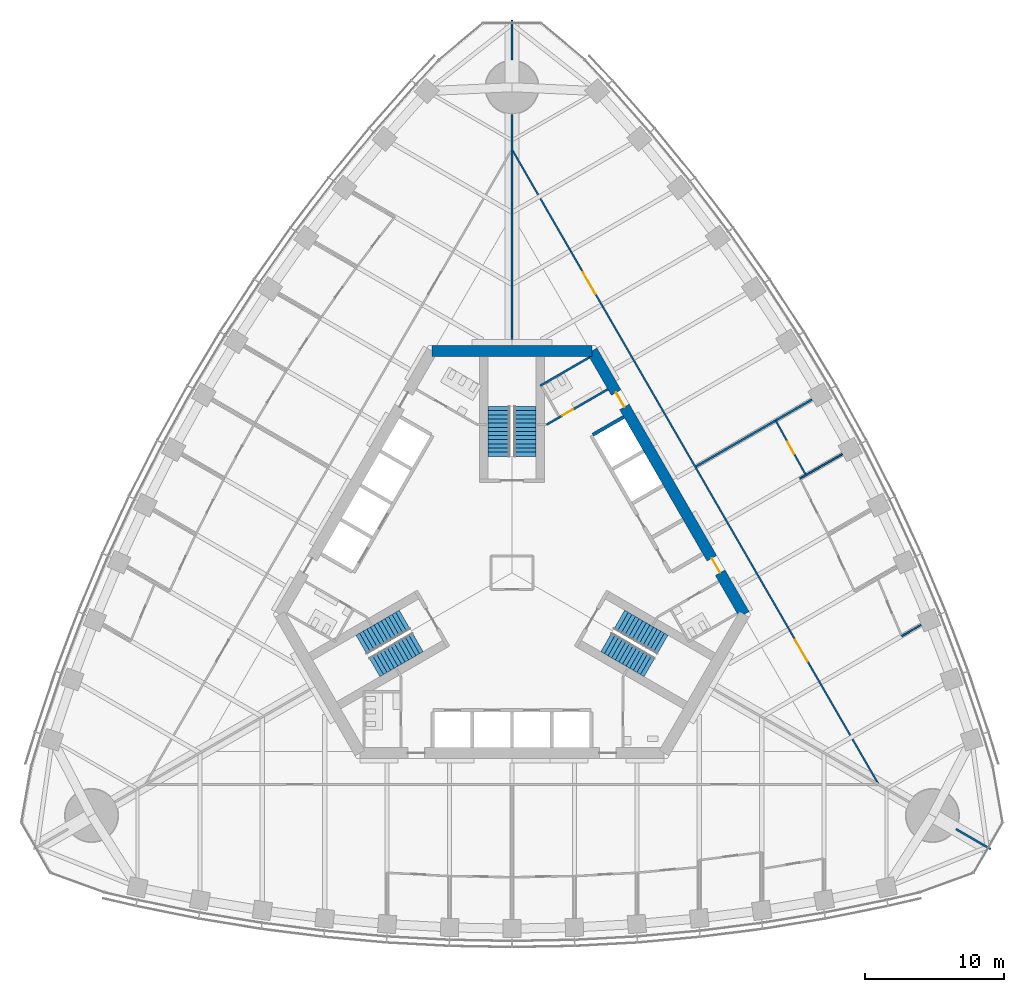
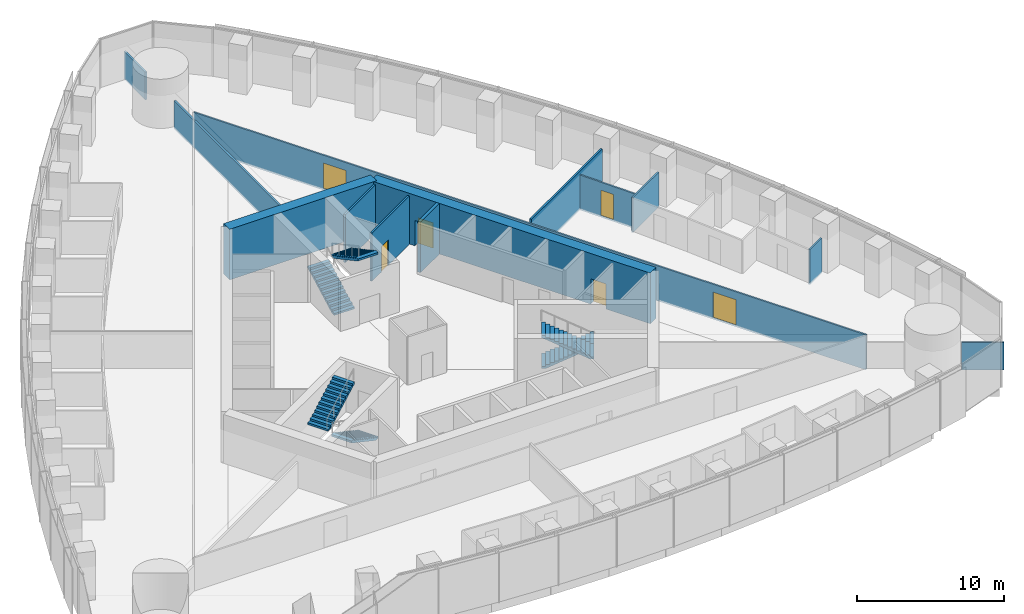
# One storey, part 14 of 19: 13 walls, 6 doors, 6 stair flights, 6 openings, 3 elements without a shape of their own.
"""IFC4 building model written with IfcOpenShell, lengths in metres."""

from ifc_helpers import new_model, si_unit, direction, frame, frame_2d, origin, place, context, subcontext, project, spatial, polyline, rectangle, outline, extrude, material, layer, layer_set, type_object, element, fill, aggregate, save


model = new_model("IFC4")

# Units and contexts
model_context = context("Model", 3, precision=1e-05, world=origin(), true_north=direction((0.0, 1.0)))
body_context = subcontext(model_context, "Body", "Model", "MODEL_VIEW")
ifc_project = project(units=[si_unit("LENGTHUNIT", "METRE"), si_unit("AREAUNIT", "SQUARE_METRE"), si_unit("VOLUMEUNIT", "CUBIC_METRE"), si_unit("PLANEANGLEUNIT", "RADIAN"), si_unit("MASSUNIT", "GRAM", prefix="KILO")], contexts=[model_context])

# Site, building, storey
site_placement = place(None, origin())
site = spatial("IfcSite", under=ifc_project, at=site_placement, CompositionType="ELEMENT")
building_placement = place(site_placement, origin())
building = spatial("IfcBuilding", under=site, at=building_placement, Name="Trefoil Bronze Tower", CompositionType="ELEMENT")
storey_placement = place(building_placement, frame((0.0, 0.0, 132.5)))
storey = spatial("IfcBuildingStorey", under=building, at=storey_placement, Name="L30", CompositionType="ELEMENT", Elevation=132.5)

# Wall, openings, doors
ifc_material_1 = material(Name="Concrete B80", Category="concrete")
ifc_layer_1 = layer(ifc_material_1, 0.800048828125)
ifc_layer_set_1 = layer_set([ifc_layer_1], Name="Core wall 800")
wall_type_1 = type_object("IfcWallType", Name="Core wall 800", PredefinedType="SHEAR", material=ifc_layer_set_1)
wall_1_placement = place(storey_placement, frame((16.7431640625, -3.0, 0.0), z_axis=(0.0, 0.0, 1.0), x_axis=(-0.500002442456, 0.866023993627, 0.0)))
wall_1 = element("IfcWall", 1, at=wall_1_placement, inside=storey, type_object=wall_type_1, Name="Core long wall 2 L30", PredefinedType="SHEAR", context=body_context, shape_type="SweptSolid", body=[
    extrude(rectangle(XDim=21.939453125, YDim=0.800048828125, at=frame_2d((10.9697265625, 0.0))), origin(), (0.0, 0.0, 1.0), 4.199951171875),
])
opening_1_placement = place(wall_1_placement, frame((17.269775390625, 0.0, 0.0)))
opening_1 = element("IfcOpeningElement", 2, at=opening_1_placement, cuts=wall_1, Name="Opening D2", PredefinedType="OPENING", context=body_context, shape_type="SweptSolid", body=[
    extrude(rectangle(XDim=1.199951171875, YDim=2.10009765625, at=frame_2d((0.60009765625, 1.050048828125))), frame((0.0, 0.409912109375, 0.0), z_axis=(0.0, -1.0, 0.0), x_axis=(1.0, 0.0, 0.0)), (0.0, 0.0, 1.0), 0.820068359375),
])
opening_2_placement = place(wall_1_placement, frame((3.4697265625, 0.0, 0.0)))
opening_2 = element("IfcOpeningElement", 3, at=opening_2_placement, cuts=wall_1, Name="Opening D2", PredefinedType="OPENING", context=body_context, shape_type="SweptSolid", body=[
    extrude(rectangle(XDim=1.199951171875, YDim=2.10009765625, at=frame_2d((0.60009765625, 1.050048828125))), frame((0.0, 0.409912109375, 0.0), z_axis=(0.0, -1.0, 0.0), x_axis=(1.0, 0.0, 0.0)), (0.0, 0.0, 1.0), 0.820068359375),
])
ifc_material_2 = material(Name="Steel door", Category="steel")
door_type_1 = type_object("IfcDoorType", Name="Lobby door 1200", OperationType="SINGLE_SWING_RIGHT", PredefinedType="DOOR", material=ifc_material_2)
door_1_placement = place(opening_1_placement, origin())
door_1 = element("IfcDoor", 4, at=door_1_placement, inside=storey, type_object=door_type_1, Name="Lobby door F2+ L30", OperationType="SINGLE_SWING_RIGHT", OverallHeight=2.10009765625, OverallWidth=1.199951171875, PredefinedType="DOOR", context=body_context, shape_type="SweptSolid", body=[
    extrude(rectangle(XDim=1.199951171875, YDim=2.10009765625, at=frame_2d((0.60009765625, 1.050048828125))), frame((0.0, 0.02490234375, 0.0), z_axis=(0.0, -1.0, 0.0), x_axis=(1.0, 0.0, 0.0)), (0.0, 0.0, 1.0), 0.050048828125),
])
fill(opening_1, door_1)
door_2_placement = place(opening_2_placement, origin())
door_2 = element("IfcDoor", 5, at=door_2_placement, inside=storey, type_object=door_type_1, Name="Lobby door F2- L30", OperationType="SINGLE_SWING_LEFT", OverallHeight=2.10009765625, OverallWidth=1.199951171875, PredefinedType="DOOR", context=body_context, shape_type="SweptSolid", body=[
    extrude(rectangle(XDim=1.199951171875, YDim=2.10009765625, at=frame_2d((0.60009765625, 1.050048828125))), frame((0.0, 0.02490234375, 0.0), z_axis=(0.0, -1.0, 0.0), x_axis=(1.0, 0.0, 0.0)), (0.0, 0.0, 1.0), 0.050048828125),
])
fill(opening_2, door_2)

# Wall
wall_2_placement = place(storey_placement, frame((5.7734375, 16.0, 0.0), z_axis=(0.0, 0.0, 1.0), x_axis=(-1.0, 0.0, 0.0)))
element("IfcWall", 6, at=wall_2_placement, inside=storey, type_object=wall_type_1, Name="Core short wall 2 L30", PredefinedType="SHEAR", context=body_context, shape_type="SweptSolid", body=[
    extrude(rectangle(XDim=11.546875, YDim=0.800048828125, at=frame_2d((5.7734375, 0.0))), origin(), (0.0, 0.0, 1.0), 4.199951171875),
])

# Wall, openings, doors
ifc_material_3 = material(Name="Glazed partition", Category="glass")
ifc_layer_2 = layer(ifc_material_3, 0.1201171875)
ifc_layer_set_2 = layer_set([ifc_layer_2], Name="Glazed partition 120")
wall_type_2 = type_object("IfcWallType", Name="Glazed partition 120", PredefinedType="PARTITIONING", material=ifc_layer_set_2)
wall_3_placement = place(storey_placement, frame((26.41455078125, -15.2314453125, 0.0), z_axis=(0.0, 0.0, 1.0), x_axis=(-0.50000091641, 0.866024874695, 0.0)))
wall_3 = element("IfcWall", 7, at=wall_3_placement, inside=storey, type_object=wall_type_2, Name="Partition F2 L30", PredefinedType="PARTITIONING", context=body_context, shape_type="SweptSolid", body=[
    extrude(rectangle(XDim=52.79638671875, YDim=0.1201171875, at=frame_2d((26.398193359375, 0.0))), origin(), (0.0, 0.0, 1.0), 2.89990234375),
])
opening_3_placement = place(wall_3_placement, frame((10.199951171875, 0.0, 0.14990234375)))
opening_3 = element("IfcOpeningElement", 8, at=opening_3_placement, cuts=wall_3, Name="Opening D10", PredefinedType="OPENING", context=body_context, shape_type="SweptSolid", body=[
    extrude(rectangle(XDim=1.800048828125, YDim=2.10009765625, at=frame_2d((0.89990234375, 1.050048828125))), frame((0.0, 0.070068359375, 0.0), z_axis=(0.0, -1.0, 0.0), x_axis=(1.0, 0.0, 0.0)), (0.0, 0.0, 1.0), 0.14013671875),
])
opening_4_placement = place(wall_3_placement, frame((40.800048828125, 0.0, 0.14990234375)))
opening_4 = element("IfcOpeningElement", 9, at=opening_4_placement, cuts=wall_3, Name="Opening D10", PredefinedType="OPENING", context=body_context, shape_type="SweptSolid", body=[
    extrude(rectangle(XDim=1.800048828125, YDim=2.10009765625, at=frame_2d((0.89990234375, 1.050048828125))), frame((0.0, 0.070068359375, 0.0), z_axis=(0.0, -1.0, 0.0), x_axis=(1.0, 0.0, 0.0)), (0.0, 0.0, 1.0), 0.14013671875),
])
ifc_material_4 = material(Name="Timber door", Category="wood")
door_type_2 = type_object("IfcDoorType", Name="Double door 1800", OperationType="DOUBLE_DOOR_SINGLE_SWING", PredefinedType="DOOR", material=ifc_material_4)
door_3_placement = place(opening_3_placement, origin())
door_3 = element("IfcDoor", 10, at=door_3_placement, inside=storey, type_object=door_type_2, Name="Corridor door F2 L30", OperationType="DOUBLE_DOOR_SINGLE_SWING", OverallHeight=2.10009765625, OverallWidth=1.800048828125, PredefinedType="DOOR", context=body_context, shape_type="SweptSolid", body=[
    extrude(rectangle(XDim=1.800048828125, YDim=2.10009765625, at=frame_2d((0.89990234375, 1.050048828125))), frame((0.0, 0.02490234375, 0.0), z_axis=(0.0, -1.0, 0.0), x_axis=(1.0, 0.0, 0.0)), (0.0, 0.0, 1.0), 0.050048828125),
])
fill(opening_3, door_3)
door_4_placement = place(opening_4_placement, origin())
door_4 = element("IfcDoor", 11, at=door_4_placement, inside=storey, type_object=door_type_2, Name="Corridor door F2 L30", OperationType="DOUBLE_DOOR_SINGLE_SWING", OverallHeight=2.10009765625, OverallWidth=1.800048828125, PredefinedType="DOOR", context=body_context, shape_type="SweptSolid", body=[
    extrude(rectangle(XDim=1.800048828125, YDim=2.10009765625, at=frame_2d((0.89990234375, 1.050048828125))), frame((0.0, 0.02490234375, 0.0), z_axis=(0.0, -1.0, 0.0), x_axis=(1.0, 0.0, 0.0)), (0.0, 0.0, 1.0), 0.050048828125),
])
fill(opening_4, door_4)

# Wall, opening, door
wall_4_placement = place(storey_placement, frame((21.188720703125, 7.037109375, 0.0), z_axis=(0.0, 0.0, 1.0), x_axis=(-0.484292898211, 0.874905931368, 0.0)))
wall_4 = element("IfcWall", 12, at=wall_4_placement, inside=storey, type_object=wall_type_2, Name="Partition F2 L30", PredefinedType="PARTITIONING", context=body_context, shape_type="SweptSolid", body=[
    extrude(rectangle(XDim=4.500732421875, YDim=0.1201171875, at=frame_2d((2.25048828125, 0.0))), origin(), (0.0, 0.0, 1.0), 2.89990234375),
])
opening_5_placement = place(wall_4_placement, frame((1.75, 0.0, 0.14990234375)))
opening_5 = element("IfcOpeningElement", 13, at=opening_5_placement, cuts=wall_4, Name="Opening D9", PredefinedType="OPENING", context=body_context, shape_type="SweptSolid", body=[
    extrude(rectangle(XDim=1.0, YDim=2.10009765625, at=frame_2d((0.5, 1.050048828125))), frame((0.0, 0.070068359375, 0.0), z_axis=(0.0, -1.0, 0.0), x_axis=(1.0, 0.0, 0.0)), (0.0, 0.0, 1.0), 0.14013671875),
])
ifc_material_5 = material(Name="Glazed timber door", Category="wood")
door_type_3 = type_object("IfcDoorType", Name="Meeting room door 1000", OperationType="SINGLE_SWING_LEFT", PredefinedType="DOOR", material=ifc_material_5)
door_5_placement = place(opening_5_placement, frame((1.0, 0.0, 0.0), z_axis=(0.0, 0.0, 1.0), x_axis=(-1.0, 0.0, 0.0)))
door_5 = element("IfcDoor", 14, at=door_5_placement, inside=storey, type_object=door_type_3, Name="Project room door F2 L30", OperationType="SINGLE_SWING_RIGHT", OverallHeight=2.10009765625, OverallWidth=1.0, PredefinedType="DOOR", context=body_context, shape_type="SweptSolid", body=[
    extrude(rectangle(XDim=1.0, YDim=2.10009765625, at=frame_2d((0.5, 1.050048828125))), frame((0.0, 0.02490234375, 0.0), z_axis=(0.0, -1.0, 0.0), x_axis=(1.0, 0.0, 0.0)), (0.0, 0.0, 1.0), 0.050048828125),
])
fill(opening_5, door_5)

# Walls
wall_5_placement = place(storey_placement, frame((28.092041015625, -4.565673828125, 0.0), z_axis=(0.0, 0.0, 1.0), x_axis=(0.866005660673, 0.500034194513, 0.0)))
element("IfcWall", 15, at=wall_5_placement, inside=storey, type_object=wall_type_2, Name="Partition F2 L30", PredefinedType="PARTITIONING", context=body_context, shape_type="SweptSolid", body=[
    extrude(rectangle(XDim=1.6044921875, YDim=0.1201171875, at=frame_2d((0.80224609375, 0.0))), origin(), (0.0, 0.0, 1.0), 2.89990234375),
])
wall_6_placement = place(storey_placement, frame((20.755615234375, 6.787109375, 0.0), z_axis=(0.0, 0.0, 1.0), x_axis=(0.866027308682, 0.499996700606, 0.0)))
element("IfcWall", 16, at=wall_6_placement, inside=storey, type_object=wall_type_2, Name="Partition F2 L30", PredefinedType="PARTITIONING", context=body_context, shape_type="SweptSolid", body=[
    extrude(rectangle(XDim=3.51904296875, YDim=0.1201171875, at=frame_2d((1.759521484375, 0.0))), origin(), (0.0, 0.0, 1.0), 2.89990234375),
])

# Wall, opening, door
ifc_material_6 = material(Name="Gypsum board on steel studs", Category="steel")
ifc_layer_3 = layer(ifc_material_6, 0.14990234375)
ifc_layer_set_3 = layer_set([ifc_layer_3], Name="Partition 150")
wall_type_3 = type_object("IfcWallType", Name="Partition 150", PredefinedType="PARTITIONING", material=ifc_layer_set_3)
wall_7_placement = place(storey_placement, frame((2.4951171875, 10.67822265625, 0.0), z_axis=(0.0, 0.0, 1.0), x_axis=(0.86602216432, 0.500005610874, 0.0)))
wall_7 = element("IfcWall", 17, at=wall_7_placement, inside=storey, type_object=wall_type_3, Name="Passage wall F2+ L30", PredefinedType="PARTITIONING", context=body_context, shape_type="SweptSolid", body=[
    extrude(rectangle(XDim=5.10009765625, YDim=0.14990234375, at=frame_2d((2.550048828125, 0.0))), origin(), (0.0, 0.0, 1.0), 4.0),
])
opening_6_placement = place(wall_7_placement, frame((1.300048828125, 0.0, 0.0)))
opening_6 = element("IfcOpeningElement", 18, at=opening_6_placement, cuts=wall_7, Name="Opening D3", PredefinedType="OPENING", context=body_context, shape_type="SweptSolid", body=[
    extrude(rectangle(XDim=0.89990234375, YDim=2.10009765625, at=frame_2d((0.449951171875, 1.050048828125))), frame((0.0, 0.0849609375, 0.0), z_axis=(0.0, -1.0, 0.0), x_axis=(1.0, 0.0, 0.0)), (0.0, 0.0, 1.0), 0.169921875),
])
ifc_material_7 = material(Name="Timber door", Category="wood")
door_type_4 = type_object("IfcDoorType", Name="WC door 900", OperationType="SINGLE_SWING_LEFT", PredefinedType="DOOR", material=ifc_material_7)
door_6_placement = place(opening_6_placement, origin())
door_6 = element("IfcDoor", 19, at=door_6_placement, inside=storey, type_object=door_type_4, Name="WC (men) door L30", OperationType="SINGLE_SWING_LEFT", OverallHeight=2.10009765625, OverallWidth=0.89990234375, PredefinedType="DOOR", context=body_context, shape_type="SweptSolid", body=[
    extrude(rectangle(XDim=0.89990234375, YDim=2.10009765625, at=frame_2d((0.449951171875, 1.050048828125))), frame((0.0, 0.02490234375, 0.0), z_axis=(0.0, -1.0, 0.0), x_axis=(1.0, 0.0, 0.0)), (0.0, 0.0, 1.0), 0.050048828125),
])
fill(opening_6, door_6)

# Walls
wall_8_placement = place(storey_placement, frame((2.03125, 13.48193359375, 0.0), z_axis=(0.0, 0.0, 1.0), x_axis=(0.866050731258, 0.499956128963, 0.0)))
element("IfcWall", 20, at=wall_8_placement, inside=storey, type_object=wall_type_3, Name="WC partition WC (men) L30", PredefinedType="PARTITIONING", context=body_context, shape_type="SweptSolid", body=[
    extrude(rectangle(XDim=4.099853515625, YDim=0.14990234375, at=frame_2d((2.0498046875, 0.0))), origin(), (0.0, 0.0, 1.0), 4.0),
])
ifc_material_8 = material(Name="Gypsum board on steel studs", Category="steel")
ifc_layer_4 = layer(ifc_material_8, 0.14990234375)
ifc_layer_set_4 = layer_set([ifc_layer_4], Name="Party wall 150")
wall_type_4 = type_object("IfcWallType", Name="Party wall 150", PredefinedType="PARTITIONING", material=ifc_layer_set_4)
wall_9_placement = place(storey_placement, frame((31.999755859375, -18.47509765625, 0.0), z_axis=(0.0, 0.0, 1.0), x_axis=(0.866042548026, -0.499970304126, 0.0)))
element("IfcWall", 21, at=wall_9_placement, inside=storey, type_object=wall_type_4, Name="Party wall K1 L30", PredefinedType="PARTITIONING", context=body_context, shape_type="SweptSolid", body=[
    extrude(rectangle(XDim=2.899169921875, YDim=0.14990234375, at=frame_2d((1.44970703125, 0.0))), origin(), (0.0, 0.0, 1.0), 2.300048828125),
])
wall_10_placement = place(storey_placement, frame((0.0, 16.39990234375, 0.0), z_axis=(0.0, 0.0, 1.0), x_axis=(0.0, 1.0, 0.0)))
element("IfcWall", 22, at=wall_10_placement, inside=storey, type_object=wall_type_4, Name="Party wall K2 L30", PredefinedType="PARTITIONING", context=body_context, shape_type="SweptSolid", body=[
    extrude(rectangle(XDim=16.650146484375, YDim=0.14990234375, at=frame_2d((8.3251953125, 0.0))), origin(), (0.0, 0.0, 1.0), 2.300048828125),
])
wall_11_placement = place(storey_placement, frame((0.0, 36.949951171875, 0.0), z_axis=(0.0, 0.0, 1.0), x_axis=(0.0, 1.0, 0.0)))
element("IfcWall", 23, at=wall_11_placement, inside=storey, type_object=wall_type_4, Name="Party wall K2 L30", PredefinedType="PARTITIONING", context=body_context, shape_type="SweptSolid", body=[
    extrude(rectangle(XDim=2.8994140625, YDim=0.14990234375, at=frame_2d((1.44970703125, 0.0))), origin(), (0.0, 0.0, 1.0), 2.300048828125),
])
wall_12_placement = place(storey_placement, frame((13.267578125, 7.659912109375, 0.0), z_axis=(0.0, 0.0, 1.0), x_axis=(0.866015788683, 0.500016653474, 0.0)))
element("IfcWall", 24, at=wall_12_placement, inside=storey, type_object=wall_type_4, Name="Demising wall F2 L30", PredefinedType="PARTITIONING", context=body_context, shape_type="SweptSolid", body=[
    extrude(rectangle(XDim=9.649658203125, YDim=0.14990234375, at=frame_2d((4.82470703125, 0.0))), origin(), (0.0, 0.0, 1.0), 3.199951171875),
])
ifc_material_9 = material(Name="Concrete B80", Category="concrete")
ifc_layer_5 = layer(ifc_material_9, 0.25)
ifc_layer_set_5 = layer_set([ifc_layer_5], Name="Shaft wall 250")
wall_type_5 = type_object("IfcWallType", Name="Shaft wall 250", PredefinedType="SHEAR", material=ifc_layer_set_5)
wall_13_placement = place(storey_placement, frame((5.831787109375, 9.94873046875, 0.0), z_axis=(0.0, 0.0, 1.0), x_axis=(0.866029291668, 0.499993265928, 0.0)))
element("IfcWall", 25, at=wall_13_placement, inside=storey, type_object=wall_type_5, Name="Lift shaft side wall B4 L30", PredefinedType="SHEAR", context=body_context, shape_type="SweptSolid", body=[
    extrude(rectangle(XDim=2.5751953125, YDim=0.25, at=frame_2d((1.28759765625, 0.0))), origin(), (0.0, 0.0, 1.0), 4.199951171875),
])

# Stair, stair flights
ifc_material_10 = material(Name="Precast concrete B80", Category="concrete")
stair_type = type_object("IfcStairType", Name="Exit stair 26 risers", PredefinedType="HALF_TURN_STAIR", material=ifc_material_10)
stair_1_placement = place(storey_placement, origin())
stair_1 = element("IfcStair", 26, at=stair_1_placement, inside=storey, type_object=stair_type, Name="Stair ST1 L30", PredefinedType="HALF_TURN_STAIR")
ifc_material_11 = material(Name="Precast concrete B80", Category="concrete")
stair_flight_type = type_object("IfcStairFlightType", Name="Stair flight 1600", PredefinedType="STRAIGHT", material=ifc_material_11)
stair_flight_1_placement = place(storey_placement, frame((7.728515625, -3.39404296875, 0.0), z_axis=(0.0, 0.0, 1.0), x_axis=(0.866025403784, -0.5, 0.0)))
stair_flight_1 = element("IfcStairFlight", 27, at=stair_flight_1_placement, type_object=stair_flight_type, Name="ST1 flight 1", NumberOfRisers=13, NumberOfTreads=12, PredefinedType="STRAIGHT", RiserHeight=0.161538462, TreadLength=0.3, context=body_context, shape_type="SweptSolid", body=[
    extrude(outline(polyline([(0.0, 0.0), (0.0, 0.16162109375), (0.300048828125, 0.16162109375), (0.300048828125, 0.322998046875), (0.60009765625, 0.322998046875), (0.60009765625, 0.484619140625), (0.89990234375, 0.484619140625), (0.89990234375, 0.646240234375), (1.199951171875, 0.646240234375), (1.199951171875, 0.8076171875), (1.5, 0.8076171875), (1.5, 0.96923828125), (1.800048828125, 0.96923828125), (1.800048828125, 1.130859375), (2.10009765625, 1.130859375), (2.10009765625, 1.292236328125), (2.39990234375, 1.292236328125), (2.39990234375, 1.453857421875), (2.699951171875, 1.453857421875), (2.699951171875, 1.615478515625), (3.0, 1.615478515625), (3.0, 1.77685546875), (3.300048828125, 1.77685546875), (3.300048828125, 1.9384765625), (3.60009765625, 1.9384765625), (3.60009765625, 2.10009765625), (3.60009765625, 1.768310546875), (0.316162109375, 0.0), (0.0, 0.0)])), frame((0.0, 0.800048828125, 0.0), z_axis=(0.0, -1.0, 0.0), x_axis=(1.0, 0.0, 0.0)), (0.0, 0.0, 1.0), 1.60009765625),
])
stair_flight_2_placement = place(storey_placement, frame((9.921142578125, -6.796142578125, 2.10009765625), z_axis=(0.0, 0.0, 1.0), x_axis=(-0.866025403784, 0.5, 0.0)))
stair_flight_2 = element("IfcStairFlight", 28, at=stair_flight_2_placement, type_object=stair_flight_type, Name="ST1 flight 2", NumberOfRisers=13, NumberOfTreads=12, PredefinedType="STRAIGHT", RiserHeight=0.161538462, TreadLength=0.3, context=body_context, shape_type="SweptSolid", body=[
    extrude(outline(polyline([(0.0, 0.0), (0.0, 0.16162109375), (0.300048828125, 0.16162109375), (0.300048828125, 0.322998046875), (0.60009765625, 0.322998046875), (0.60009765625, 0.484619140625), (0.89990234375, 0.484619140625), (0.89990234375, 0.646240234375), (1.199951171875, 0.646240234375), (1.199951171875, 0.8076171875), (1.5, 0.8076171875), (1.5, 0.96923828125), (1.800048828125, 0.96923828125), (1.800048828125, 1.130859375), (2.10009765625, 1.130859375), (2.10009765625, 1.292236328125), (2.39990234375, 1.292236328125), (2.39990234375, 1.453857421875), (2.699951171875, 1.453857421875), (2.699951171875, 1.615478515625), (3.0, 1.615478515625), (3.0, 1.77685546875), (3.300048828125, 1.77685546875), (3.300048828125, 1.9384765625), (3.60009765625, 1.9384765625), (3.60009765625, 2.10009765625), (3.60009765625, 1.768310546875), (0.316162109375, 0.0), (0.0, 0.0)])), frame((0.0, 0.800048828125, 0.0), z_axis=(0.0, -1.0, 0.0), x_axis=(1.0, 0.0, 0.0)), (0.0, 0.0, 1.0), 1.60009765625),
])
aggregate(stair_1, [stair_flight_1, stair_flight_2])

stair_2_placement = place(storey_placement, origin())
stair_2 = element("IfcStair", 29, at=stair_2_placement, inside=storey, type_object=stair_type, Name="Stair ST2 L30", PredefinedType="HALF_TURN_STAIR")
stair_flight_3_placement = place(storey_placement, frame((-0.925048828125, 8.389892578125, 0.0), z_axis=(0.0, 0.0, 1.0), x_axis=(0.0, 1.0, 0.0)))
stair_flight_3 = element("IfcStairFlight", 30, at=stair_flight_3_placement, type_object=stair_flight_type, Name="ST2 flight 1", NumberOfRisers=13, NumberOfTreads=12, PredefinedType="STRAIGHT", RiserHeight=0.161538462, TreadLength=0.3, context=body_context, shape_type="SweptSolid", body=[
    extrude(outline(polyline([(0.0, 0.0), (0.0, 0.16162109375), (0.300048828125, 0.16162109375), (0.300048828125, 0.322998046875), (0.60009765625, 0.322998046875), (0.60009765625, 0.484619140625), (0.89990234375, 0.484619140625), (0.89990234375, 0.646240234375), (1.199951171875, 0.646240234375), (1.199951171875, 0.8076171875), (1.5, 0.8076171875), (1.5, 0.96923828125), (1.800048828125, 0.96923828125), (1.800048828125, 1.130859375), (2.10009765625, 1.130859375), (2.10009765625, 1.292236328125), (2.39990234375, 1.292236328125), (2.39990234375, 1.453857421875), (2.699951171875, 1.453857421875), (2.699951171875, 1.615478515625), (3.0, 1.615478515625), (3.0, 1.77685546875), (3.300048828125, 1.77685546875), (3.300048828125, 1.9384765625), (3.60009765625, 1.9384765625), (3.60009765625, 2.10009765625), (3.60009765625, 1.768310546875), (0.316162109375, 0.0), (0.0, 0.0)])), frame((0.0, 0.800048828125, 0.0), z_axis=(0.0, -1.0, 0.0), x_axis=(1.0, 0.0, 0.0)), (0.0, 0.0, 1.0), 1.60009765625),
])
stair_flight_4_placement = place(storey_placement, frame((0.925048828125, 11.989990234375, 2.10009765625), z_axis=(0.0, 0.0, 1.0), x_axis=(0.0, -1.0, 0.0)))
stair_flight_4 = element("IfcStairFlight", 31, at=stair_flight_4_placement, type_object=stair_flight_type, Name="ST2 flight 2", NumberOfRisers=13, NumberOfTreads=12, PredefinedType="STRAIGHT", RiserHeight=0.161538462, TreadLength=0.3, context=body_context, shape_type="SweptSolid", body=[
    extrude(outline(polyline([(0.0, 0.0), (0.0, 0.16162109375), (0.300048828125, 0.16162109375), (0.300048828125, 0.322998046875), (0.60009765625, 0.322998046875), (0.60009765625, 0.484619140625), (0.89990234375, 0.484619140625), (0.89990234375, 0.646240234375), (1.199951171875, 0.646240234375), (1.199951171875, 0.8076171875), (1.5, 0.8076171875), (1.5, 0.96923828125), (1.800048828125, 0.96923828125), (1.800048828125, 1.130859375), (2.10009765625, 1.130859375), (2.10009765625, 1.292236328125), (2.39990234375, 1.292236328125), (2.39990234375, 1.453857421875), (2.699951171875, 1.453857421875), (2.699951171875, 1.615478515625), (3.0, 1.615478515625), (3.0, 1.77685546875), (3.300048828125, 1.77685546875), (3.300048828125, 1.9384765625), (3.60009765625, 1.9384765625), (3.60009765625, 2.10009765625), (3.60009765625, 1.768310546875), (0.316162109375, 0.0), (0.0, 0.0)])), frame((0.0, 0.800048828125, 0.0), z_axis=(0.0, -1.0, 0.0), x_axis=(1.0, 0.0, 0.0)), (0.0, 0.0, 1.0), 1.60009765625),
])
aggregate(stair_2, [stair_flight_3, stair_flight_4])

stair_3_placement = place(storey_placement, origin())
stair_3 = element("IfcStair", 32, at=stair_3_placement, inside=storey, type_object=stair_type, Name="Stair ST3 L30", PredefinedType="HALF_TURN_STAIR")
stair_flight_5_placement = place(storey_placement, frame((-6.803466796875, -4.99609375, 0.0), z_axis=(0.0, 0.0, 1.0), x_axis=(-0.866025403784, -0.5, 0.0)))
stair_flight_5 = element("IfcStairFlight", 33, at=stair_flight_5_placement, type_object=stair_flight_type, Name="ST3 flight 1", NumberOfRisers=13, NumberOfTreads=12, PredefinedType="STRAIGHT", RiserHeight=0.161538462, TreadLength=0.3, context=body_context, shape_type="SweptSolid", body=[
    extrude(outline(polyline([(0.0, 0.0), (0.0, 0.16162109375), (0.300048828125, 0.16162109375), (0.300048828125, 0.322998046875), (0.60009765625, 0.322998046875), (0.60009765625, 0.484619140625), (0.89990234375, 0.484619140625), (0.89990234375, 0.646240234375), (1.199951171875, 0.646240234375), (1.199951171875, 0.8076171875), (1.5, 0.8076171875), (1.5, 0.96923828125), (1.800048828125, 0.96923828125), (1.800048828125, 1.130859375), (2.10009765625, 1.130859375), (2.10009765625, 1.292236328125), (2.39990234375, 1.292236328125), (2.39990234375, 1.453857421875), (2.699951171875, 1.453857421875), (2.699951171875, 1.615478515625), (3.0, 1.615478515625), (3.0, 1.77685546875), (3.300048828125, 1.77685546875), (3.300048828125, 1.9384765625), (3.60009765625, 1.9384765625), (3.60009765625, 2.10009765625), (3.60009765625, 1.768310546875), (0.316162109375, 0.0), (0.0, 0.0)])), frame((0.0, 0.800048828125, 0.0), z_axis=(0.0, -1.0, 0.0), x_axis=(1.0, 0.0, 0.0)), (0.0, 0.0, 1.0), 1.60009765625),
])
stair_flight_6_placement = place(storey_placement, frame((-10.84619140625, -5.19384765625, 2.10009765625), z_axis=(0.0, 0.0, 1.0), x_axis=(0.866025403784, 0.5, 0.0)))
stair_flight_6 = element("IfcStairFlight", 34, at=stair_flight_6_placement, type_object=stair_flight_type, Name="ST3 flight 2", NumberOfRisers=13, NumberOfTreads=12, PredefinedType="STRAIGHT", RiserHeight=0.161538462, TreadLength=0.3, context=body_context, shape_type="SweptSolid", body=[
    extrude(outline(polyline([(0.0, 0.0), (0.0, 0.16162109375), (0.300048828125, 0.16162109375), (0.300048828125, 0.322998046875), (0.60009765625, 0.322998046875), (0.60009765625, 0.484619140625), (0.89990234375, 0.484619140625), (0.89990234375, 0.646240234375), (1.199951171875, 0.646240234375), (1.199951171875, 0.8076171875), (1.5, 0.8076171875), (1.5, 0.96923828125), (1.800048828125, 0.96923828125), (1.800048828125, 1.130859375), (2.10009765625, 1.130859375), (2.10009765625, 1.292236328125), (2.39990234375, 1.292236328125), (2.39990234375, 1.453857421875), (2.699951171875, 1.453857421875), (2.699951171875, 1.615478515625), (3.0, 1.615478515625), (3.0, 1.77685546875), (3.300048828125, 1.77685546875), (3.300048828125, 1.9384765625), (3.60009765625, 1.9384765625), (3.60009765625, 2.10009765625), (3.60009765625, 1.768310546875), (0.316162109375, 0.0), (0.0, 0.0)])), frame((0.0, 0.800048828125, 0.0), z_axis=(0.0, -1.0, 0.0), x_axis=(1.0, 0.0, 0.0)), (0.0, 0.0, 1.0), 1.60009765625),
])
aggregate(stair_3, [stair_flight_5, stair_flight_6])

save(model, "model.ifc")
